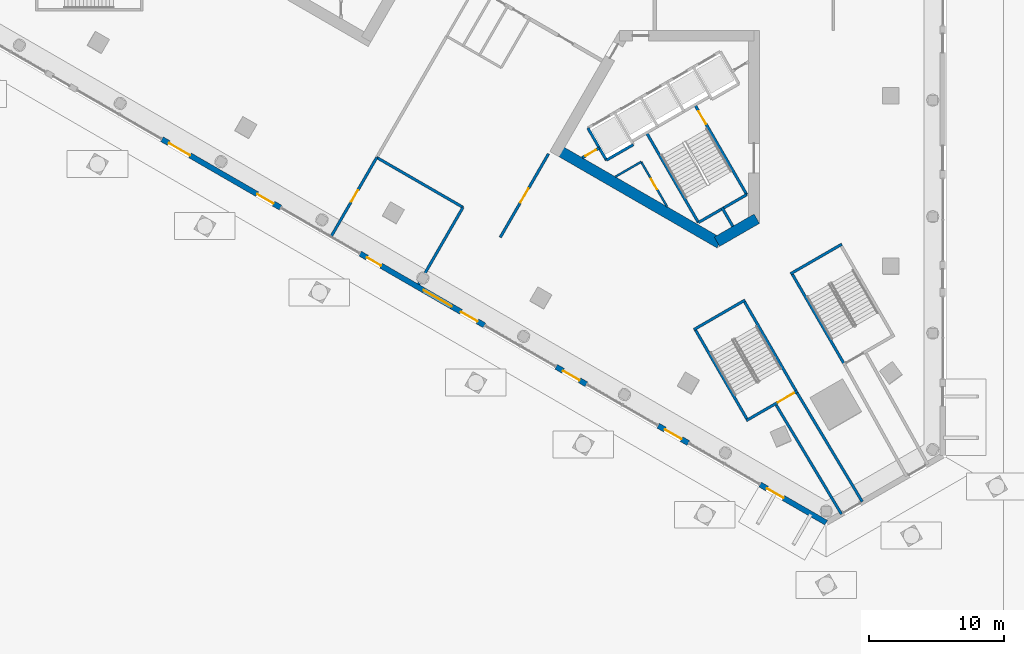
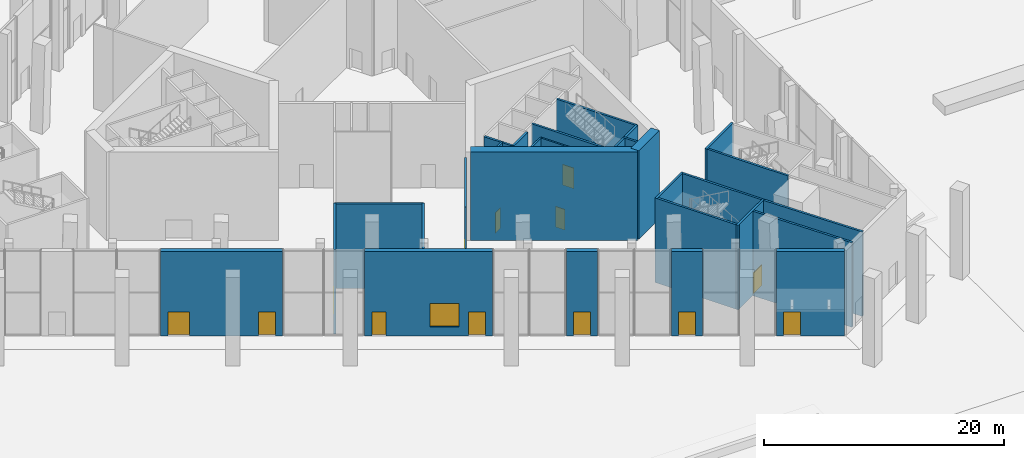
# One storey, part 23 of 63: 28 walls, 13 doors, 1 window, 14 openings.
"""IFC4 building model written with IfcOpenShell, lengths in metres."""

from ifc_helpers import new_model, si_unit, direction, frame, frame_2d, origin, place, context, subcontext, project, spatial, rectangle, extrude, material, layer, layer_set, type_object, element, fill, save


model = new_model("IFC4")

# Units and contexts
model_context = context("Model", 3, precision=1e-05, world=origin(), true_north=direction((0.0, 1.0)))
body_context = subcontext(model_context, "Body", "Model", "MODEL_VIEW")
ifc_project = project(units=[si_unit("LENGTHUNIT", "METRE"), si_unit("AREAUNIT", "SQUARE_METRE"), si_unit("VOLUMEUNIT", "CUBIC_METRE"), si_unit("PLANEANGLEUNIT", "RADIAN"), si_unit("MASSUNIT", "GRAM", prefix="KILO")], contexts=[model_context])

# Site, building, storey
site_placement = place(None, origin())
site = spatial("IfcSite", under=ifc_project, at=site_placement, CompositionType="ELEMENT")
building_placement = place(site_placement, origin())
building = spatial("IfcBuilding", under=site, at=building_placement, Name="Jabali Bay Hotel Tower and Convention Centre", CompositionType="ELEMENT")
storey_placement = place(building_placement, origin())
storey = spatial("IfcBuildingStorey", under=building, at=storey_placement, Name="L00", CompositionType="ELEMENT", Elevation=0.0)

# Wall
ifc_material_1 = material(Name="Concrete C40", Category="concrete")
ifc_layer_1 = layer(ifc_material_1, 0.199951171875)
ifc_layer_set_1 = layer_set([ifc_layer_1], Name="Concrete C40")
wall_type_1 = type_object("IfcWallType", Name="Core partition wall 200", PredefinedType="PARTITIONING", material=ifc_layer_set_1)
wall_1_placement = place(storey_placement, frame((87.090087890625, 59.0595703125, 0.0), z_axis=(0.0, 0.0, 1.0), x_axis=(0.499956811548, -0.866050337213, 0.0)))
element("IfcWall", 1, at=wall_1_placement, inside=storey, type_object=wall_type_1, Name="Core wall 2.5 L00", PredefinedType="PARTITIONING", context=body_context, shape_type="SweptSolid", body=[
    extrude(rectangle(XDim=1.623291015625, YDim=0.199951171875, at=frame_2d((0.8115234375, 0.0))), origin(), (0.0, 0.0, 1.0), 8.60009765625),
])

# Wall, opening, door
wall_2_placement = place(storey_placement, frame((76.719970703125, 62.748779296875, 0.0), z_axis=(0.0, 0.0, 1.0), x_axis=(0.866054810376, 0.49994906283, 0.0)))
wall_2 = element("IfcWall", 2, at=wall_2_placement, inside=storey, type_object=wall_type_1, Name="Core wall 2.11 L00", PredefinedType="PARTITIONING", context=body_context, shape_type="SweptSolid", body=[
    extrude(rectangle(XDim=1.461181640625, YDim=0.199951171875, at=frame_2d((0.73046875, 0.0))), origin(), (0.0, 0.0, 1.0), 8.60009765625),
])
opening_1_placement = place(wall_2_placement, frame((0.280517578125, 0.0, 0.0)))
opening_1 = element("IfcOpeningElement", 3, at=opening_1_placement, cuts=wall_2, Name="Opening D122", PredefinedType="OPENING", context=body_context, shape_type="SweptSolid", body=[
    extrude(rectangle(XDim=0.89990234375, YDim=2.10009765625, at=frame_2d((0.449951171875, 1.050048828125))), frame((0.0, 0.1103515625, 0.0), z_axis=(0.0, -1.0, 0.0), x_axis=(1.0, 0.0, 0.0)), (0.0, 0.0, 1.0), 0.220947265625),
])
ifc_material_2 = material(Name="Fire-rated steel door", Category="steel")
door_type_1 = type_object("IfcDoorType", Name="Vestibule fire door 900 x 2100", OperationType="NOTDEFINED", PredefinedType="NOTDEFINED", material=ifc_material_2)
door_1_placement = place(opening_1_placement, origin())
door_1 = element("IfcDoor", 4, at=door_1_placement, inside=storey, type_object=door_type_1, Name="Vestibule fire door D122", OperationType="SINGLE_SWING_LEFT", OverallHeight=2.10009765625, OverallWidth=0.89990234375, PredefinedType="NOTDEFINED", context=body_context, shape_type="SweptSolid", body=[
    extrude(rectangle(XDim=0.89990234375, YDim=2.10009765625, at=frame_2d((0.449951171875, 1.050048828125))), frame((0.0, 0.02490234375, 0.0), z_axis=(0.0, -1.0, 0.0), x_axis=(1.0, 0.0, 0.0)), (0.0, 0.0, 1.0), 0.050048828125),
])
fill(opening_1, door_1)

ifc_material_3 = material(Name="Fire-rated board partition")
ifc_layer_2 = layer(ifc_material_3, 0.14990234375)
ifc_layer_set_2 = layer_set([ifc_layer_2], Name="Fire-rated board partition")
wall_type_2 = type_object("IfcWallType", Name="Core room partition 150", PredefinedType="PARTITIONING", material=ifc_layer_set_2)
wall_3_placement = place(storey_placement, frame((81.093994140625, 62.445068359375, 0.0), z_axis=(0.0, 0.0, 1.0), x_axis=(0.499987921047, -0.866032377459, 0.0)))
wall_3 = element("IfcWall", 5, at=wall_3_placement, inside=storey, type_object=wall_type_2, Name="Core wall 2.1 L00", PredefinedType="PARTITIONING", context=body_context, shape_type="SweptSolid", body=[
    extrude(rectangle(XDim=3.84765625, YDim=0.14990234375, at=frame_2d((1.923828125, 0.0))), origin(), (0.0, 0.0, 1.0), 8.60009765625),
])
opening_2_placement = place(wall_3_placement, frame((1.446533203125, 0.0, 0.0)))
opening_2 = element("IfcOpeningElement", 6, at=opening_2_placement, cuts=wall_3, Name="Opening D124", PredefinedType="OPENING", context=body_context, shape_type="SweptSolid", body=[
    extrude(rectangle(XDim=0.89990234375, YDim=2.10009765625, at=frame_2d((0.449951171875, 1.050048828125))), frame((0.0, 0.08544921875, 0.0), z_axis=(0.0, -1.0, 0.0), x_axis=(1.0, 0.0, 0.0)), (0.0, 0.0, 1.0), 0.1708984375),
])
door_type_2 = type_object("IfcDoorType", Name="Core room door 900 x 2100", OperationType="NOTDEFINED", PredefinedType="NOTDEFINED", material=ifc_material_2)
door_2_placement = place(opening_2_placement, origin())
door_2 = element("IfcDoor", 7, at=door_2_placement, inside=storey, type_object=door_type_2, Name="Core room door D124", OperationType="SINGLE_SWING_LEFT", OverallHeight=2.10009765625, OverallWidth=0.89990234375, PredefinedType="NOTDEFINED", context=body_context, shape_type="SweptSolid", body=[
    extrude(rectangle(XDim=0.89990234375, YDim=2.10009765625, at=frame_2d((0.449951171875, 1.050048828125))), frame((0.0, 0.02490234375, 0.0), z_axis=(0.0, -1.0, 0.0), x_axis=(1.0, 0.0, 0.0)), (0.0, 0.0, 1.0), 0.050048828125),
])
fill(opening_2, door_2)

# Walls
wall_4_placement = place(storey_placement, frame((79.169921875, 61.334228515625, 0.0), z_axis=(0.0, 0.0, 1.0), x_axis=(0.866030041738, 0.499991966744, 0.0)))
element("IfcWall", 8, at=wall_4_placement, inside=storey, type_object=wall_type_2, Name="Core wall 2.16 L00", PredefinedType="PARTITIONING", context=body_context, shape_type="SweptSolid", body=[
    extrude(rectangle(XDim=2.2216796875, YDim=0.14990234375, at=frame_2d((1.11083984375, 0.0))), origin(), (0.0, 0.0, 1.0), 8.60009765625),
])
ifc_layer_3 = layer(ifc_material_1, 0.199951171875)
ifc_layer_set_3 = layer_set([ifc_layer_3], Name="Concrete C40")
wall_type_3 = type_object("IfcWallType", Name="Core stair wall 200", PredefinedType="SOLIDWALL", material=ifc_layer_set_3)
wall_5_placement = place(storey_placement, frame((77.13525390625, 64.95166015625, 0.0), z_axis=(0.0, 0.0, 1.0), x_axis=(0.499996545922, -0.866027397988, 0.0)))
element("IfcWall", 9, at=wall_5_placement, inside=storey, type_object=wall_type_3, Name="Core wall 2.0 L00", PredefinedType="SOLIDWALL", context=body_context, shape_type="SweptSolid", body=[
    extrude(rectangle(XDim=2.75, YDim=0.199951171875, at=frame_2d((1.375, 0.0))), origin(), (0.0, 0.0, 1.0), 8.60009765625),
])
wall_6_placement = place(storey_placement, frame((81.492919921875, 64.603759765625, 0.0), z_axis=(0.0, 0.0, 1.0), x_axis=(0.500006057782, -0.866021906294, 0.0)))
element("IfcWall", 10, at=wall_6_placement, inside=storey, type_object=wall_type_3, Name="Core wall 2.3 L00", PredefinedType="SOLIDWALL", context=body_context, shape_type="SweptSolid", body=[
    extrude(rectangle(XDim=7.7001953125, YDim=0.199951171875, at=frame_2d((3.85009765625, 0.0))), origin(), (0.0, 0.0, 1.0), 8.60009765625),
])

# Wall, opening, door
wall_7_placement = place(storey_placement, frame((85.0869140625, 66.6787109375, 0.0), z_axis=(0.0, 0.0, 1.0), x_axis=(0.500019787375, -0.866013979237, 0.0)))
wall_7 = element("IfcWall", 11, at=wall_7_placement, inside=storey, type_object=wall_type_3, Name="Core wall 2.7 L00", PredefinedType="SOLIDWALL", context=body_context, shape_type="SweptSolid", body=[
    extrude(rectangle(XDim=7.699951171875, YDim=0.199951171875, at=frame_2d((3.85009765625, 0.0))), origin(), (0.0, 0.0, 1.0), 8.60009765625),
])
opening_3_placement = place(wall_7_placement, frame((0.550048828125, 0.0, 0.0)))
opening_3 = element("IfcOpeningElement", 12, at=opening_3_placement, cuts=wall_7, Name="Opening D123", PredefinedType="OPENING", context=body_context, shape_type="SweptSolid", body=[
    extrude(rectangle(XDim=1.10009765625, YDim=2.10009765625, at=frame_2d((0.550048828125, 1.050048828125))), frame((0.0, 0.1103515625, 0.0), z_axis=(0.0, -1.0, 0.0), x_axis=(1.0, 0.0, 0.0)), (0.0, 0.0, 1.0), 0.220947265625),
])
door_type_3 = type_object("IfcDoorType", Name="Stair fire door 1100 x 2100", OperationType="NOTDEFINED", PredefinedType="NOTDEFINED", material=ifc_material_2)
door_3_placement = place(opening_3_placement, origin())
door_3 = element("IfcDoor", 13, at=door_3_placement, inside=storey, type_object=door_type_3, Name="Stair fire door D123", OperationType="SINGLE_SWING_RIGHT", OverallHeight=2.10009765625, OverallWidth=1.10009765625, PredefinedType="NOTDEFINED", context=body_context, shape_type="SweptSolid", body=[
    extrude(rectangle(XDim=1.10009765625, YDim=2.10009765625, at=frame_2d((0.550048828125, 1.050048828125))), frame((0.0, 0.02490234375, 0.0), z_axis=(0.0, -1.0, 0.0), x_axis=(1.0, 0.0, 0.0)), (0.0, 0.0, 1.0), 0.050048828125),
])
fill(opening_3, door_3)

# Walls
wall_8_placement = place(storey_placement, frame((78.51025390625, 62.570068359375, 0.0), z_axis=(0.0, 0.0, 1.0), x_axis=(0.866053019151, 0.499952165731, 0.0)))
element("IfcWall", 14, at=wall_8_placement, inside=storey, type_object=wall_type_3, Name="Core wall 2.14 L00", PredefinedType="SOLIDWALL", context=body_context, shape_type="SweptSolid", body=[
    extrude(rectangle(XDim=2.300048828125, YDim=0.199951171875, at=frame_2d((1.14990234375, 0.0))), origin(), (0.0, 0.0, 1.0), 8.60009765625),
])
wall_9_placement = place(storey_placement, frame((85.343017578125, 57.935302734375, 0.0), z_axis=(0.0, 0.0, 1.0), x_axis=(0.866004344652, 0.500036473714, 0.0)))
element("IfcWall", 15, at=wall_9_placement, inside=storey, type_object=wall_type_3, Name="Core wall 2.17 L00", PredefinedType="SOLIDWALL", context=body_context, shape_type="SweptSolid", body=[
    extrude(rectangle(XDim=4.150146484375, YDim=0.199951171875, at=frame_2d((2.0751953125, 0.0))), origin(), (0.0, 0.0, 1.0), 8.60009765625),
])
ifc_material_4 = material(Name="Concrete C60", Category="concrete")
ifc_layer_4 = layer(ifc_material_4, 0.800048828125)
ifc_layer_set_4 = layer_set([ifc_layer_4], Name="Concrete C60")
wall_type_4 = type_object("IfcWallType", Name="Core wall 800", PredefinedType="SHEAR", material=ifc_layer_set_4)
wall_10_placement = place(storey_placement, frame((74.8564453125, 63.36279296875, 0.0), z_axis=(0.0, 0.0, 1.0), x_axis=(0.866029478545, -0.499992942241, 0.0)))
element("IfcWall", 16, at=wall_10_placement, inside=storey, type_object=wall_type_4, Name="Core wall 3.2 L00", PredefinedType="SHEAR", context=body_context, shape_type="SweptSolid", body=[
    extrude(rectangle(XDim=13.933349609375, YDim=0.800048828125, at=frame_2d((6.966796875, 0.0))), origin(), (0.0, 0.0, 1.0), 9.0),
])
wall_11_placement = place(storey_placement, frame((86.72314453125, 56.51171875, 0.0), z_axis=(0.0, 0.0, 1.0), x_axis=(0.866034355626, 0.499984494636, 0.0)))
element("IfcWall", 17, at=wall_11_placement, inside=storey, type_object=wall_type_4, Name="Core wall 3.3 L00", PredefinedType="SHEAR", context=body_context, shape_type="SweptSolid", body=[
    extrude(rectangle(XDim=3.4140625, YDim=0.800048828125, at=frame_2d((1.70703125, 0.0))), origin(), (0.0, 0.0, 1.0), 9.0),
])

# Wall, opening, door
ifc_material_5 = material(Name="Plasterboard on steel stud", Category="steel")
ifc_layer_5 = layer(ifc_material_5, 0.199951171875)
ifc_layer_set_5 = layer_set([ifc_layer_5], Name="Plasterboard on steel stud")
wall_type_5 = type_object("IfcWallType", Name="Partition 200 party", PredefinedType="PARTITIONING", material=ifc_layer_set_5)
wall_12_placement = place(storey_placement, frame((70.6220703125, 56.828857421875, 0.0), z_axis=(0.0, 0.0, 1.0), x_axis=(0.499995327129, 0.866028101651, 0.0)))
wall_12 = element("IfcWall", 18, at=wall_12_placement, inside=storey, type_object=wall_type_5, Name="Partition P01 L00 016", PredefinedType="PARTITIONING", context=body_context, shape_type="SweptSolid", body=[
    extrude(rectangle(XDim=7.1767578125, YDim=0.199951171875, at=frame_2d((3.58837890625, 0.0))), origin(), (0.0, 0.0, 1.0), 8.60009765625),
])
opening_4_placement = place(wall_12_placement, frame((2.988037109375, 0.0, 0.0)))
opening_4 = element("IfcOpeningElement", 19, at=opening_4_placement, cuts=wall_12, Name="Opening 0014", PredefinedType="OPENING", context=body_context, shape_type="SweptSolid", body=[
    extrude(rectangle(XDim=1.199951171875, YDim=2.39990234375, at=frame_2d((0.60009765625, 1.199951171875))), frame((0.0, 0.1103515625, 0.0), z_axis=(0.0, -1.0, 0.0), x_axis=(1.0, 0.0, 0.0)), (0.0, 0.0, 1.0), 0.220947265625),
])
ifc_material_6 = material(Name="Timber", Category="wood")
door_type_4 = type_object("IfcDoorType", Name="Public room door 1200 x 2400", OperationType="NOTDEFINED", PredefinedType="NOTDEFINED", material=ifc_material_6)
door_4_placement = place(opening_4_placement, origin())
door_4 = element("IfcDoor", 20, at=door_4_placement, inside=storey, type_object=door_type_4, Name="Door 0014", OperationType="SINGLE_SWING_LEFT", OverallHeight=2.39990234375, OverallWidth=1.199951171875, PredefinedType="NOTDEFINED", context=body_context, shape_type="SweptSolid", body=[
    extrude(rectangle(XDim=1.199951171875, YDim=2.39990234375, at=frame_2d((0.60009765625, 1.199951171875))), frame((0.0, 0.02490234375, 0.0), z_axis=(0.0, -1.0, 0.0), x_axis=(1.0, 0.0, 0.0)), (0.0, 0.0, 1.0), 0.050048828125),
])
fill(opening_4, door_4)

ifc_layer_6 = layer(ifc_material_5, 0.199951171875)
ifc_layer_set_6 = layer_set([ifc_layer_6], Name="Plasterboard on steel stud")
wall_type_6 = type_object("IfcWallType", Name="Partition 200 refuge", PredefinedType="PARTITIONING", material=ifc_layer_set_6)
wall_13_placement = place(storey_placement, frame((58.078125, 56.927734375, 0.0), z_axis=(0.0, 0.0, 1.0), x_axis=(0.500002470373, 0.866023977509, 0.0)))
wall_13 = element("IfcWall", 21, at=wall_13_placement, inside=storey, type_object=wall_type_6, Name="Partition P05 L00 011", PredefinedType="PARTITIONING", context=body_context, shape_type="SweptSolid", body=[
    extrude(rectangle(XDim=6.7421875, YDim=0.199951171875, at=frame_2d((3.37109375, 0.0))), origin(), (0.0, 0.0, 1.0), 8.60009765625),
])
opening_5_placement = place(wall_13_placement, frame((2.94091796875, 0.0, 0.0)))
opening_5 = element("IfcOpeningElement", 22, at=opening_5_placement, cuts=wall_13, Name="Opening 0015", PredefinedType="OPENING", context=body_context, shape_type="SweptSolid", body=[
    extrude(rectangle(XDim=1.0, YDim=2.10009765625, at=frame_2d((0.5, 1.050048828125))), frame((0.0, 0.1103515625, 0.0), z_axis=(0.0, -1.0, 0.0), x_axis=(1.0, 0.0, 0.0)), (0.0, 0.0, 1.0), 0.220947265625),
])
ifc_material_7 = material(Name="Steel Q355B", Category="steel")
door_type_5 = type_object("IfcDoorType", Name="Fire command room door 1000 x 2100", OperationType="NOTDEFINED", PredefinedType="NOTDEFINED", material=ifc_material_7)
door_5_placement = place(opening_5_placement, origin())
door_5 = element("IfcDoor", 23, at=door_5_placement, inside=storey, type_object=door_type_5, Name="Door 0015", OperationType="SINGLE_SWING_LEFT", OverallHeight=2.10009765625, OverallWidth=1.0, PredefinedType="NOTDEFINED", context=body_context, shape_type="SweptSolid", body=[
    extrude(rectangle(XDim=1.0, YDim=2.10009765625, at=frame_2d((0.5, 1.050048828125))), frame((0.0, 0.02490234375, 0.0), z_axis=(0.0, -1.0, 0.0), x_axis=(1.0, 0.0, 0.0)), (0.0, 0.0, 1.0), 0.050048828125),
])
fill(opening_5, door_5)

# Walls
wall_14_placement = place(storey_placement, frame((61.44921875, 62.7666015625, 0.0), z_axis=(0.0, 0.0, 1.0), x_axis=(0.866023506795, -0.500003285667, 0.0)))
element("IfcWall", 24, at=wall_14_placement, inside=storey, type_object=wall_type_6, Name="Partition P05 L00 017", PredefinedType="PARTITIONING", context=body_context, shape_type="SweptSolid", body=[
    extrude(rectangle(XDim=7.39990234375, YDim=0.199951171875, at=frame_2d((3.699951171875, 0.0))), origin(), (0.0, 0.0, 1.0), 8.60009765625),
])
wall_15_placement = place(storey_placement, frame((67.857666015625, 59.066650390625, 0.0), z_axis=(0.0, 0.0, 1.0), x_axis=(-0.499993511887, -0.866029149666, 0.0)))
element("IfcWall", 25, at=wall_15_placement, inside=storey, type_object=wall_type_6, Name="Partition P05 L00 018", PredefinedType="PARTITIONING", context=body_context, shape_type="SweptSolid", body=[
    extrude(rectangle(XDim=6.60107421875, YDim=0.199951171875, at=frame_2d((3.300537109375, 0.0))), origin(), (0.0, 0.0, 1.0), 8.60009765625),
])

# Wall, openings, doors
ifc_layer_7 = layer(ifc_material_1, 0.39990234375)
ifc_layer_set_7 = layer_set([ifc_layer_7], Name="Concrete C40")
wall_type_7 = type_object("IfcWallType", Name="Podium external wall 400", PredefinedType="SOLIDWALL", material=ifc_layer_set_7)
wall_16_placement = place(storey_placement, frame((54.30029296875, 59.0419921875, 0.0), z_axis=(0.0, 0.0, 1.0), x_axis=(-0.866020516738, 0.500008464518, 0.0)))
wall_16 = element("IfcWall", 26, at=wall_16_placement, inside=storey, type_object=wall_type_7, Name="External wall south-west face L00", PredefinedType="SOLIDWALL", context=body_context, shape_type="SweptSolid", body=[
    extrude(rectangle(XDim=10.172119140625, YDim=0.39990234375, at=frame_2d((5.0859375, 0.0))), origin(), (0.0, 0.0, 1.0), 8.60009765625),
])
opening_6_placement = place(wall_16_placement, frame((7.772216796875, 0.0, 0.0)))
opening_6 = element("IfcOpeningElement", 27, at=opening_6_placement, cuts=wall_16, Name="Opening ED3", PredefinedType="OPENING", context=body_context, shape_type="SweptSolid", body=[
    extrude(rectangle(XDim=1.800048828125, YDim=2.39990234375, at=frame_2d((0.89990234375, 1.199951171875))), frame((0.0, 0.21044921875, 0.0), z_axis=(0.0, -1.0, 0.0), x_axis=(1.0, 0.0, 0.0)), (0.0, 0.0, 1.0), 0.4208984375),
])
opening_7_placement = place(wall_16_placement, frame((0.60009765625, 0.0, 0.0)))
opening_7 = element("IfcOpeningElement", 28, at=opening_7_placement, cuts=wall_16, Name="Opening ED2", PredefinedType="OPENING", context=body_context, shape_type="SweptSolid", body=[
    extrude(rectangle(XDim=1.39990234375, YDim=2.39990234375, at=frame_2d((0.699951171875, 1.199951171875))), frame((0.0, 0.21044921875, 0.0), z_axis=(0.0, -1.0, 0.0), x_axis=(1.0, 0.0, 0.0)), (0.0, 0.0, 1.0), 0.4208984375),
])
ifc_material_8 = material(Name="Glass", Category="glass")
door_type_6 = type_object("IfcDoorType", Name="Entrance door 1400 x 2400", OperationType="NOTDEFINED", PredefinedType="NOTDEFINED", material=ifc_material_8)
door_6_placement = place(opening_7_placement, origin())
door_6 = element("IfcDoor", 29, at=door_6_placement, inside=storey, type_object=door_type_6, Name="Entrance door", OperationType="SINGLE_SWING_RIGHT", OverallHeight=2.39990234375, OverallWidth=1.39990234375, PredefinedType="NOTDEFINED", context=body_context, shape_type="SweptSolid", body=[
    extrude(rectangle(XDim=1.39990234375, YDim=2.39990234375, at=frame_2d((0.699951171875, 1.199951171875))), frame((0.0, 0.02490234375, 0.0), z_axis=(0.0, -1.0, 0.0), x_axis=(1.0, 0.0, 0.0)), (0.0, 0.0, 1.0), 0.050048828125),
])
fill(opening_7, door_6)
door_type_7 = type_object("IfcDoorType", Name="Stair exit door 1800 x 2400", OperationType="NOTDEFINED", PredefinedType="NOTDEFINED", material=ifc_material_7)
door_7_placement = place(opening_6_placement, origin())
door_7 = element("IfcDoor", 30, at=door_7_placement, inside=storey, type_object=door_type_7, Name="Stair ST1 exit door", OperationType="DOUBLE_DOOR_SINGLE_SWING", OverallHeight=2.39990234375, OverallWidth=1.800048828125, PredefinedType="NOTDEFINED", context=body_context, shape_type="SweptSolid", body=[
    extrude(rectangle(XDim=1.800048828125, YDim=2.39990234375, at=frame_2d((0.89990234375, 1.199951171875))), frame((0.0, 0.02490234375, 0.0), z_axis=(0.0, -1.0, 0.0), x_axis=(1.0, 0.0, 0.0)), (0.0, 0.0, 1.0), 0.050048828125),
])
fill(opening_6, door_7)

# Wall, openings, doors, window
wall_17_placement = place(storey_placement, frame((69.451416015625, 50.294677734375, 0.0), z_axis=(0.0, 0.0, 1.0), x_axis=(-0.866031596129, 0.499989274391, 0.0)))
wall_17 = element("IfcWall", 31, at=wall_17_placement, inside=storey, type_object=wall_type_7, Name="External wall south-west face L00", PredefinedType="SOLIDWALL", context=body_context, shape_type="SweptSolid", body=[
    extrude(rectangle(XDim=10.666259765625, YDim=0.39990234375, at=frame_2d((5.3330078125, 0.0))), origin(), (0.0, 0.0, 1.0), 8.60009765625),
])
opening_8_placement = place(wall_17_placement, frame((8.8662109375, 0.0, 0.0)))
opening_8 = element("IfcOpeningElement", 32, at=opening_8_placement, cuts=wall_17, Name="Opening ED5", PredefinedType="OPENING", context=body_context, shape_type="SweptSolid", body=[
    extrude(rectangle(XDim=1.199951171875, YDim=2.39990234375, at=frame_2d((0.60009765625, 1.199951171875))), frame((0.0, 0.21044921875, 0.0), z_axis=(0.0, -1.0, 0.0), x_axis=(1.0, 0.0, 0.0)), (0.0, 0.0, 1.0), 0.4208984375),
])
opening_9_placement = place(wall_17_placement, frame((0.60009765625, 0.0, 0.0)))
opening_9 = element("IfcOpeningElement", 33, at=opening_9_placement, cuts=wall_17, Name="Opening ED2", PredefinedType="OPENING", context=body_context, shape_type="SweptSolid", body=[
    extrude(rectangle(XDim=1.39990234375, YDim=2.39990234375, at=frame_2d((0.699951171875, 1.199951171875))), frame((0.0, 0.21044921875, 0.0), z_axis=(0.0, -1.0, 0.0), x_axis=(1.0, 0.0, 0.0)), (0.0, 0.0, 1.0), 0.4208984375),
])
opening_10_placement = place(wall_17_placement, frame((2.8095703125, 0.0, 0.89990234375)))
opening_10 = element("IfcOpeningElement", 34, at=opening_10_placement, cuts=wall_17, Name="Opening W3", PredefinedType="OPENING", context=body_context, shape_type="SweptSolid", body=[
    extrude(rectangle(XDim=2.39990234375, YDim=2.39990234375, at=frame_2d((1.199951171875, 1.199951171875))), frame((0.0, 0.21044921875, 0.0), z_axis=(0.0, -1.0, 0.0), x_axis=(1.0, 0.0, 0.0)), (0.0, 0.0, 1.0), 0.4208984375),
])
door_8_placement = place(opening_9_placement, origin())
door_8 = element("IfcDoor", 35, at=door_8_placement, inside=storey, type_object=door_type_6, Name="Entrance door", OperationType="SINGLE_SWING_RIGHT", OverallHeight=2.39990234375, OverallWidth=1.39990234375, PredefinedType="NOTDEFINED", context=body_context, shape_type="SweptSolid", body=[
    extrude(rectangle(XDim=1.39990234375, YDim=2.39990234375, at=frame_2d((0.699951171875, 1.199951171875))), frame((0.0, 0.02490234375, 0.0), z_axis=(0.0, -1.0, 0.0), x_axis=(1.0, 0.0, 0.0)), (0.0, 0.0, 1.0), 0.050048828125),
])
fill(opening_9, door_8)
window_type = type_object("IfcWindowType", Name="Podium window 2400 x 2400", PartitioningType="SINGLE_PANEL", PredefinedType="WINDOW", material=ifc_material_8)
window_placement = place(opening_10_placement, origin())
window = element("IfcWindow", 36, at=window_placement, inside=storey, type_object=window_type, Name="Window", OverallHeight=2.39990234375, OverallWidth=2.39990234375, PartitioningType="SINGLE_PANEL", PredefinedType="WINDOW", context=body_context, shape_type="SweptSolid", body=[
    extrude(rectangle(XDim=2.39990234375, YDim=2.39990234375, at=frame_2d((1.199951171875, 1.199951171875))), frame((0.0, 0.030029296875, 0.0), z_axis=(0.0, -1.0, 0.0), x_axis=(1.0, 0.0, 0.0)), (0.0, 0.0, 1.0), 0.06005859375),
])
fill(opening_10, window)
door_type_8 = type_object("IfcDoorType", Name="Service door 1200 x 2400", OperationType="NOTDEFINED", PredefinedType="NOTDEFINED", material=ifc_material_7)
door_9_placement = place(opening_8_placement, origin())
door_9 = element("IfcDoor", 37, at=door_9_placement, inside=storey, type_object=door_type_8, Name="Fire command room external door", OperationType="SINGLE_SWING_LEFT", OverallHeight=2.39990234375, OverallWidth=1.199951171875, PredefinedType="NOTDEFINED", context=body_context, shape_type="SweptSolid", body=[
    extrude(rectangle(XDim=1.199951171875, YDim=2.39990234375, at=frame_2d((0.60009765625, 1.199951171875))), frame((0.0, 0.02490234375, 0.0), z_axis=(0.0, -1.0, 0.0), x_axis=(1.0, 0.0, 0.0)), (0.0, 0.0, 1.0), 0.050048828125),
])
fill(opening_8, door_9)

# Wall, opening, door
wall_18_placement = place(storey_placement, frame((77.02685546875, 45.9208984375, 0.0), z_axis=(0.0, 0.0, 1.0), x_axis=(-0.866021400173, 0.500006934395, 0.0)))
wall_18 = element("IfcWall", 38, at=wall_18_placement, inside=storey, type_object=wall_type_7, Name="External wall south-west face L00", PredefinedType="SOLIDWALL", context=body_context, shape_type="SweptSolid", body=[
    extrude(rectangle(XDim=2.60009765625, YDim=0.39990234375, at=frame_2d((1.300048828125, 0.0))), origin(), (0.0, 0.0, 1.0), 8.60009765625),
])
opening_11_placement = place(wall_18_placement, frame((0.60009765625, 0.0, 0.0)))
opening_11 = element("IfcOpeningElement", 39, at=opening_11_placement, cuts=wall_18, Name="Opening ED2", PredefinedType="OPENING", context=body_context, shape_type="SweptSolid", body=[
    extrude(rectangle(XDim=1.39990234375, YDim=2.39990234375, at=frame_2d((0.699951171875, 1.199951171875))), frame((0.0, 0.21044921875, 0.0), z_axis=(0.0, -1.0, 0.0), x_axis=(1.0, 0.0, 0.0)), (0.0, 0.0, 1.0), 0.4208984375),
])
door_10_placement = place(opening_11_placement, origin())
door_10 = element("IfcDoor", 40, at=door_10_placement, inside=storey, type_object=door_type_6, Name="Entrance door", OperationType="SINGLE_SWING_LEFT", OverallHeight=2.39990234375, OverallWidth=1.39990234375, PredefinedType="NOTDEFINED", context=body_context, shape_type="SweptSolid", body=[
    extrude(rectangle(XDim=1.39990234375, YDim=2.39990234375, at=frame_2d((0.699951171875, 1.199951171875))), frame((0.0, 0.02490234375, 0.0), z_axis=(0.0, -1.0, 0.0), x_axis=(1.0, 0.0, 0.0)), (0.0, 0.0, 1.0), 0.050048828125),
])
fill(opening_11, door_10)

wall_19_placement = place(storey_placement, frame((84.602294921875, 41.547119140625, 0.0), z_axis=(0.0, 0.0, 1.0), x_axis=(-0.866021400173, 0.500006934395, 0.0)))
wall_19 = element("IfcWall", 41, at=wall_19_placement, inside=storey, type_object=wall_type_7, Name="External wall south-west face L00", PredefinedType="SOLIDWALL", context=body_context, shape_type="SweptSolid", body=[
    extrude(rectangle(XDim=2.60009765625, YDim=0.39990234375, at=frame_2d((1.300048828125, 0.0))), origin(), (0.0, 0.0, 1.0), 8.60009765625),
])
opening_12_placement = place(wall_19_placement, frame((0.60009765625, 0.0, 0.0)))
opening_12 = element("IfcOpeningElement", 42, at=opening_12_placement, cuts=wall_19, Name="Opening ED2", PredefinedType="OPENING", context=body_context, shape_type="SweptSolid", body=[
    extrude(rectangle(XDim=1.39990234375, YDim=2.39990234375, at=frame_2d((0.699951171875, 1.199951171875))), frame((0.0, 0.21044921875, 0.0), z_axis=(0.0, -1.0, 0.0), x_axis=(1.0, 0.0, 0.0)), (0.0, 0.0, 1.0), 0.4208984375),
])
door_11_placement = place(opening_12_placement, origin())
door_11 = element("IfcDoor", 43, at=door_11_placement, inside=storey, type_object=door_type_6, Name="Entrance door", OperationType="SINGLE_SWING_RIGHT", OverallHeight=2.39990234375, OverallWidth=1.39990234375, PredefinedType="NOTDEFINED", context=body_context, shape_type="SweptSolid", body=[
    extrude(rectangle(XDim=1.39990234375, YDim=2.39990234375, at=frame_2d((0.699951171875, 1.199951171875))), frame((0.0, 0.02490234375, 0.0), z_axis=(0.0, -1.0, 0.0), x_axis=(1.0, 0.0, 0.0)), (0.0, 0.0, 1.0), 0.050048828125),
])
fill(opening_12, door_11)

wall_20_placement = place(storey_placement, frame((94.83984375, 35.636474609375, 0.0), z_axis=(0.0, 0.0, 1.0), x_axis=(-0.866020773897, 0.500008019114, 0.0)))
wall_20 = element("IfcWall", 44, at=wall_20_placement, inside=storey, type_object=wall_type_7, Name="External wall south-west face L00", PredefinedType="SOLIDWALL", context=body_context, shape_type="SweptSolid", body=[
    extrude(rectangle(XDim=5.673828125, YDim=0.39990234375, at=frame_2d((2.8369140625, 0.0))), origin(), (0.0, 0.0, 1.0), 8.60009765625),
])
opening_13_placement = place(wall_20_placement, frame((3.673828125, 0.0, 0.0)))
opening_13 = element("IfcOpeningElement", 45, at=opening_13_placement, cuts=wall_20, Name="Opening ED2", PredefinedType="OPENING", context=body_context, shape_type="SweptSolid", body=[
    extrude(rectangle(XDim=1.39990234375, YDim=2.39990234375, at=frame_2d((0.699951171875, 1.199951171875))), frame((0.0, 0.21044921875, 0.0), z_axis=(0.0, -1.0, 0.0), x_axis=(1.0, 0.0, 0.0)), (0.0, 0.0, 1.0), 0.4208984375),
])
door_12_placement = place(opening_13_placement, origin())
door_12 = element("IfcDoor", 46, at=door_12_placement, inside=storey, type_object=door_type_6, Name="Entrance door", OperationType="SINGLE_SWING_LEFT", OverallHeight=2.39990234375, OverallWidth=1.39990234375, PredefinedType="NOTDEFINED", context=body_context, shape_type="SweptSolid", body=[
    extrude(rectangle(XDim=1.39990234375, YDim=2.39990234375, at=frame_2d((0.699951171875, 1.199951171875))), frame((0.0, 0.02490234375, 0.0), z_axis=(0.0, -1.0, 0.0), x_axis=(1.0, 0.0, 0.0)), (0.0, 0.0, 1.0), 0.050048828125),
])
fill(opening_13, door_12)

# Walls
ifc_layer_8 = layer(ifc_material_1, 0.199951171875)
ifc_layer_set_8 = layer_set([ifc_layer_8], Name="Concrete C40")
wall_type_8 = type_object("IfcWallType", Name="Podium stair enclosure wall 200", PredefinedType="SOLIDWALL", material=ifc_layer_set_8)
wall_21_placement = place(storey_placement, frame((95.999267578125, 56.328125, 0.0), z_axis=(0.0, 0.0, 1.0), x_axis=(-0.866032203192, -0.499988222896, 0.0)))
element("IfcWall", 47, at=wall_21_placement, inside=storey, type_object=wall_type_8, Name="Podium stair wall 5.3 L00", PredefinedType="SOLIDWALL", context=body_context, shape_type="SweptSolid", body=[
    extrude(rectangle(XDim=4.39990234375, YDim=0.199951171875, at=frame_2d((2.199951171875, 0.0))), origin(), (0.0, 0.0, 1.0), 8.60009765625),
])
wall_22_placement = place(storey_placement, frame((92.225341796875, 54.264892578125, 0.0), z_axis=(0.0, 0.0, 1.0), x_axis=(0.49999894854, -0.866026010844, 0.0)))
element("IfcWall", 48, at=wall_22_placement, inside=storey, type_object=wall_type_8, Name="Podium stair wall 5.4 L00", PredefinedType="SOLIDWALL", context=body_context, shape_type="SweptSolid", body=[
    extrude(rectangle(XDim=8.0, YDim=0.199951171875, at=frame_2d((4.0, 0.0))), origin(), (0.0, 0.0, 1.0), 8.60009765625),
])

# Wall, opening, door
wall_23_placement = place(storey_placement, frame((88.900634765625, 43.22314453125, 0.0), z_axis=(0.0, 0.0, 1.0), x_axis=(0.866032203192, 0.499988222896, 0.0)))
wall_23 = element("IfcWall", 49, at=wall_23_placement, inside=storey, type_object=wall_type_8, Name="Podium stair wall 6.1 L00", PredefinedType="SOLIDWALL", context=body_context, shape_type="SweptSolid", body=[
    extrude(rectangle(XDim=4.39990234375, YDim=0.199951171875, at=frame_2d((2.199951171875, 0.0))), origin(), (0.0, 0.0, 1.0), 8.60009765625),
])
opening_14_placement = place(wall_23_placement, frame((2.699951171875, 0.0, 0.0)))
opening_14 = element("IfcOpeningElement", 50, at=opening_14_placement, cuts=wall_23, Name="Opening D1761", PredefinedType="OPENING", context=body_context, shape_type="SweptSolid", body=[
    extrude(rectangle(XDim=1.39990234375, YDim=2.10009765625, at=frame_2d((0.699951171875, 1.050048828125))), frame((0.0, 0.1103515625, 0.0), z_axis=(0.0, -1.0, 0.0), x_axis=(1.0, 0.0, 0.0)), (0.0, 0.0, 1.0), 0.220947265625),
])
door_type_9 = type_object("IfcDoorType", Name="Podium stair fire door 1400 x 2100", OperationType="NOTDEFINED", PredefinedType="NOTDEFINED", material=ifc_material_2)
door_13_placement = place(opening_14_placement, origin())
door_13 = element("IfcDoor", 51, at=door_13_placement, inside=storey, type_object=door_type_9, Name="Podium stair fire door D1761", OperationType="SINGLE_SWING_RIGHT", OverallHeight=2.10009765625, OverallWidth=1.39990234375, PredefinedType="NOTDEFINED", context=body_context, shape_type="SweptSolid", body=[
    extrude(rectangle(XDim=1.39990234375, YDim=2.10009765625, at=frame_2d((0.699951171875, 1.050048828125))), frame((0.0, 0.02490234375, 0.0), z_axis=(0.0, -1.0, 0.0), x_axis=(1.0, 0.0, 0.0)), (0.0, 0.0, 1.0), 0.050048828125),
])
fill(opening_14, door_13)

# Walls
wall_24_placement = place(storey_placement, frame((92.674560546875, 45.28662109375, 0.0), z_axis=(0.0, 0.0, 1.0), x_axis=(-0.49999894854, 0.866026010844, 0.0)))
element("IfcWall", 52, at=wall_24_placement, inside=storey, type_object=wall_type_8, Name="Podium stair wall 6.2 L00", PredefinedType="SOLIDWALL", context=body_context, shape_type="SweptSolid", body=[
    extrude(rectangle(XDim=8.0, YDim=0.199951171875, at=frame_2d((4.0, 0.0))), origin(), (0.0, 0.0, 1.0), 8.60009765625),
])
wall_25_placement = place(storey_placement, frame((88.811279296875, 52.17822265625, 0.0), z_axis=(0.0, 0.0, 1.0), x_axis=(-0.866032203192, -0.499988222896, 0.0)))
element("IfcWall", 53, at=wall_25_placement, inside=storey, type_object=wall_type_8, Name="Podium stair wall 6.3 L00", PredefinedType="SOLIDWALL", context=body_context, shape_type="SweptSolid", body=[
    extrude(rectangle(XDim=4.39990234375, YDim=0.199951171875, at=frame_2d((2.199951171875, 0.0))), origin(), (0.0, 0.0, 1.0), 8.60009765625),
])
wall_26_placement = place(storey_placement, frame((85.037353515625, 50.11474609375, 0.0), z_axis=(0.0, 0.0, 1.0), x_axis=(0.49999894854, -0.866026010844, 0.0)))
element("IfcWall", 54, at=wall_26_placement, inside=storey, type_object=wall_type_8, Name="Podium stair wall 6.4 L00", PredefinedType="SOLIDWALL", context=body_context, shape_type="SweptSolid", body=[
    extrude(rectangle(XDim=8.0, YDim=0.199951171875, at=frame_2d((4.0, 0.0))), origin(), (0.0, 0.0, 1.0), 8.60009765625),
])
ifc_layer_9 = layer(ifc_material_1, 0.199951171875)
ifc_layer_set_9 = layer_set([ifc_layer_9], Name="Concrete C40")
wall_type_9 = type_object("IfcWallType", Name="Podium stair wall 200", PredefinedType="PARTITIONING", material=ifc_layer_set_9)
wall_27_placement = place(storey_placement, frame((97.51708984375, 37.198974609375, 0.0), z_axis=(0.0, 0.0, 1.0), x_axis=(-0.51369309386, 0.857974012031, 0.0)))
element("IfcWall", 55, at=wall_27_placement, inside=storey, type_object=wall_type_9, Name="Exit passage wall 6.1", PredefinedType="PARTITIONING", context=body_context, shape_type="SweptSolid", body=[
    extrude(rectangle(XDim=9.440673828125, YDim=0.199951171875, at=frame_2d((4.72021484375, 0.0))), origin(), (0.0, 0.0, 1.0), 8.60009765625),
])
wall_28_placement = place(storey_placement, frame((91.123046875, 44.374267578125, 0.0), z_axis=(0.0, 0.0, 1.0), x_axis=(0.51370073235, -0.857969438607, 0.0)))
element("IfcWall", 56, at=wall_28_placement, inside=storey, type_object=wall_type_9, Name="Exit passage wall 6.2", PredefinedType="PARTITIONING", context=body_context, shape_type="SweptSolid", body=[
    extrude(rectangle(XDim=9.44091796875, YDim=0.199951171875, at=frame_2d((4.720458984375, 0.0))), origin(), (0.0, 0.0, 1.0), 8.60009765625),
])

save(model, "model.ifc")
